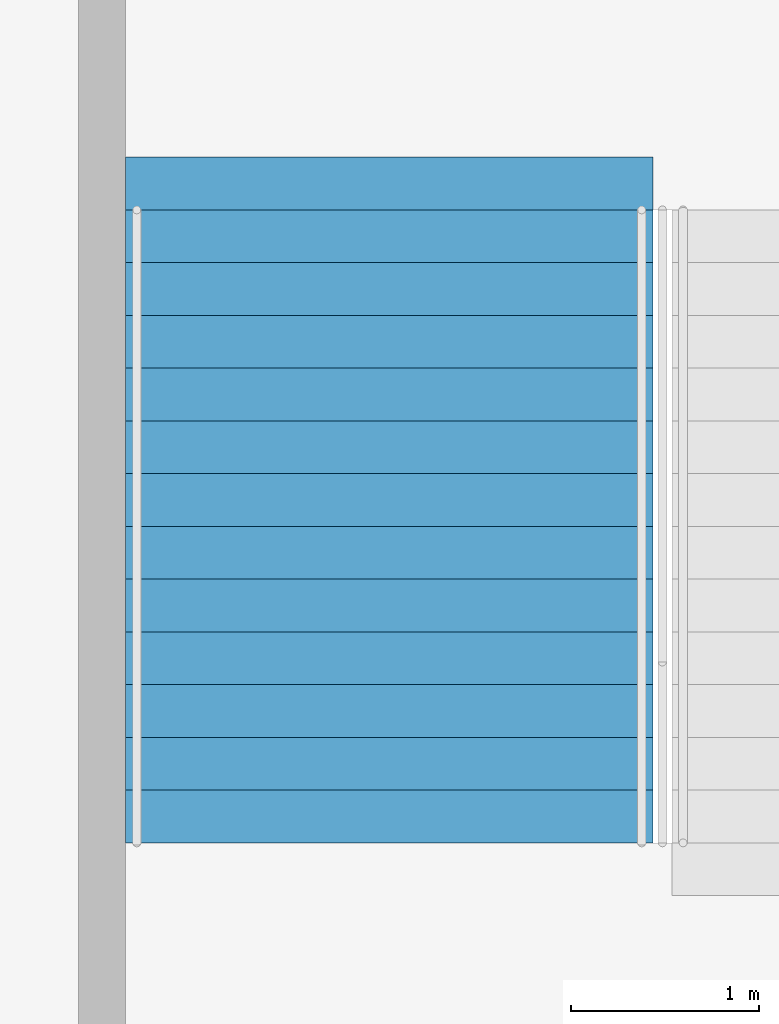
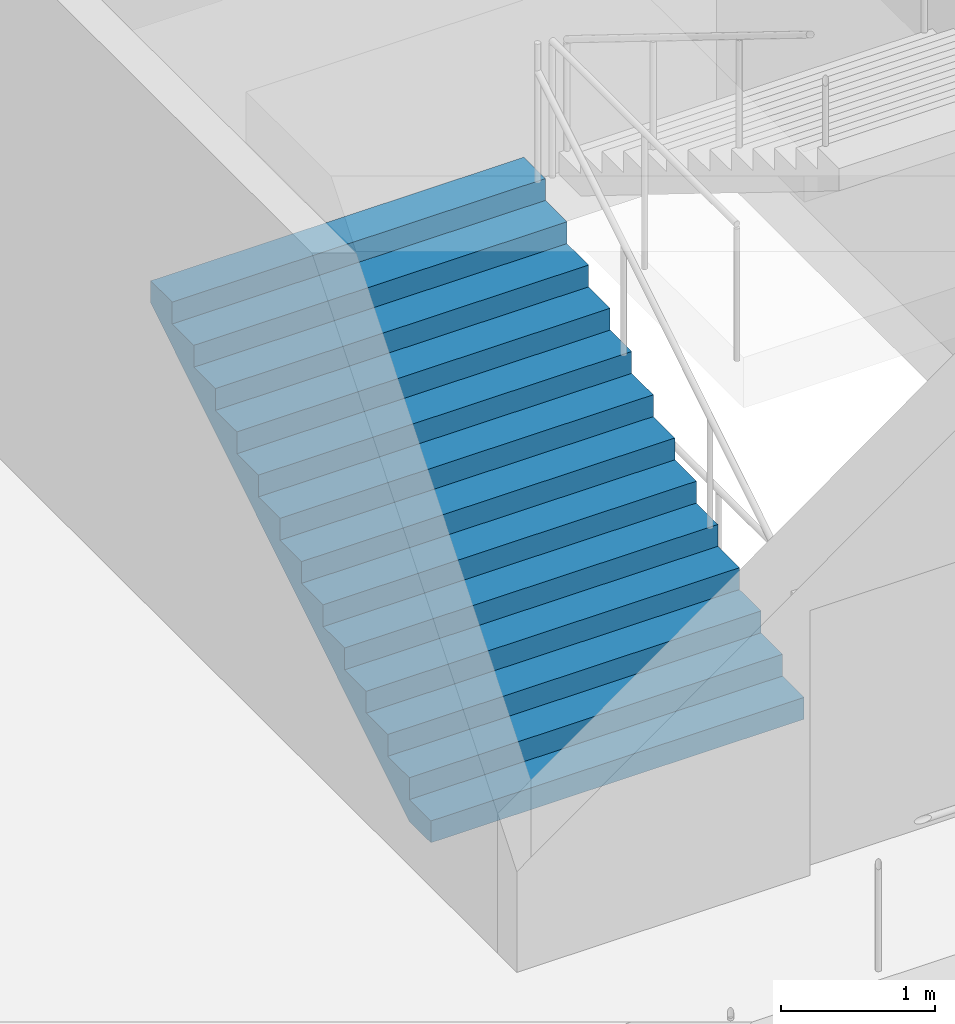
# One storey, part 144 of 177: 1 stair flight, 1 element without a shape of its own.
"""IFC4 building model written with IfcOpenShell, lengths in metres."""

from ifc_helpers import new_model, si_unit, direction, frame, origin, place, context, subcontext, project, spatial, faceted_brep, material, type_object, element, aggregate, save


model = new_model("IFC4")

# Units and contexts
model_context = context("Model", 3, precision=1e-05, world=origin(), true_north=direction((0.0, 1.0)))
body_context = subcontext(model_context, "Body", "Model", "MODEL_VIEW")
ifc_project = project(units=[si_unit("LENGTHUNIT", "METRE"), si_unit("AREAUNIT", "SQUARE_METRE"), si_unit("VOLUMEUNIT", "CUBIC_METRE"), si_unit("PLANEANGLEUNIT", "RADIAN"), si_unit("MASSUNIT", "GRAM", prefix="KILO")], contexts=[model_context])

# Site, building, storey
site_placement = place(None, origin())
site = spatial("IfcSite", under=ifc_project, at=site_placement, CompositionType="ELEMENT")
building_placement = place(site_placement, origin())
building = spatial("IfcBuilding", under=site, at=building_placement, Name="Ogive Plaza Stadium", CompositionType="ELEMENT")
storey_placement = place(building_placement, frame((0.0, 0.0, 18.0)))
storey = spatial("IfcBuildingStorey", under=building, at=storey_placement, Name="L04", CompositionType="ELEMENT", Elevation=18.0)

# Stair, stair flight
ifc_material_1 = material(Name="Concrete C40/50", Category="concrete")
stair_type = type_object("IfcStairType", Name="Exit stair", PredefinedType="STRAIGHT_RUN_STAIR", material=ifc_material_1)
stair_placement = place(storey_placement, origin())
stair = element("IfcStair", 1, at=stair_placement, inside=storey, type_object=stair_type, Name="Exit stair ST34B L04 to L05", PredefinedType="STRAIGHT_RUN_STAIR")
ifc_material_2 = material(Name="Concrete C40/50", Category="concrete")
stair_flight_type = type_object("IfcStairFlightType", Name="Exit stair flight", PredefinedType="STRAIGHT", material=ifc_material_2)
stair_flight_placement = place(storey_placement, frame((-11.22509765625, 94.85009765625, 0.0), z_axis=(0.0, 0.0, 1.0), x_axis=(0.0, 1.0, 0.0)))
stair_flight = element("IfcStairFlight", 2, at=stair_flight_placement, type_object=stair_flight_type, Name="ST34B flight 1", NumberOfRisers=13, NumberOfTreads=12, PredefinedType="STRAIGHT", RiserHeight=0.173076923, TreadLength=0.28, context=body_context, shape_type="Brep", body=[
    faceted_brep([(0.28515625, -1.39990234375, 0.0), (3.639892578125, -1.39990234375, 2.07373046875), (3.639892578125, -1.39990234375, 2.25), (3.360107421875, -1.39990234375, 2.25), (3.360107421875, -1.39990234375, 2.076904296875), (3.080078125, -1.39990234375, 2.076904296875), (3.080078125, -1.39990234375, 1.90380859375), (2.800048828125, -1.39990234375, 1.90380859375), (2.800048828125, -1.39990234375, 1.730712890625), (2.52001953125, -1.39990234375, 1.730712890625), (2.52001953125, -1.39990234375, 1.5576171875), (2.239990234375, -1.39990234375, 1.5576171875), (2.239990234375, -1.39990234375, 1.384521484375), (1.9599609375, -1.39990234375, 1.384521484375), (1.9599609375, -1.39990234375, 1.21142578125), (1.679931640625, -1.39990234375, 1.21142578125), (1.679931640625, -1.39990234375, 1.03857421875), (1.39990234375, -1.39990234375, 1.03857421875), (1.39990234375, -1.39990234375, 0.865478515625), (1.1201171875, -1.39990234375, 0.865478515625), (1.1201171875, -1.39990234375, 0.6923828125), (0.840087890625, -1.39990234375, 0.6923828125), (0.840087890625, -1.39990234375, 0.519287109375), (0.56005859375, -1.39990234375, 0.519287109375), (0.56005859375, -1.39990234375, 0.34619140625), (0.280029296875, -1.39990234375, 0.34619140625), (0.280029296875, -1.39990234375, 0.173095703125), (0.0, -1.39990234375, 0.173095703125), (0.0, -1.39990234375, 0.0), (0.0, 1.39990234375, 0.0), (0.0, 1.39990234375, 0.173095703125), (0.280029296875, 1.39990234375, 0.173095703125), (0.280029296875, 1.39990234375, 0.34619140625), (0.56005859375, 1.39990234375, 0.34619140625), (0.56005859375, 1.39990234375, 0.519287109375), (0.840087890625, 1.39990234375, 0.519287109375), (0.840087890625, 1.39990234375, 0.6923828125), (1.1201171875, 1.39990234375, 0.6923828125), (1.1201171875, 1.39990234375, 0.865478515625), (1.39990234375, 1.39990234375, 0.865478515625), (1.39990234375, 1.39990234375, 1.03857421875), (1.679931640625, 1.39990234375, 1.03857421875), (1.679931640625, 1.39990234375, 1.21142578125), (1.9599609375, 1.39990234375, 1.21142578125), (1.9599609375, 1.39990234375, 1.384521484375), (2.239990234375, 1.39990234375, 1.384521484375), (2.239990234375, 1.39990234375, 1.5576171875), (2.52001953125, 1.39990234375, 1.5576171875), (2.52001953125, 1.39990234375, 1.730712890625), (2.800048828125, 1.39990234375, 1.730712890625), (2.800048828125, 1.39990234375, 1.90380859375), (3.080078125, 1.39990234375, 1.90380859375), (3.080078125, 1.39990234375, 2.076904296875), (3.360107421875, 1.39990234375, 2.076904296875), (3.360107421875, 1.39990234375, 2.25), (3.639892578125, 1.39990234375, 2.25), (3.639892578125, 1.39990234375, 2.07373046875), (0.28515625, 1.39990234375, 0.0), (0.28515625, -1.0888671875, 0.0), (3.639892578125, -1.0888671875, 2.07373046875), (0.28515625, -0.77783203125, 0.0), (3.639892578125, -0.77783203125, 2.07373046875), (0.28515625, -0.466796875, 0.0), (3.639892578125, -0.466796875, 2.07373046875), (0.28515625, -0.155517578125, 0.0), (3.639892578125, -0.155517578125, 2.07373046875), (0.28515625, 0.155517578125, 0.0), (3.639892578125, 0.155517578125, 2.07373046875), (0.28515625, 0.466796875, 0.0), (3.639892578125, 0.466796875, 2.07373046875), (0.28515625, 0.77783203125, 0.0), (3.639892578125, 0.77783203125, 2.07373046875), (0.28515625, 1.0888671875, 0.0), (3.639892578125, 1.0888671875, 2.07373046875), (3.639892578125, -1.0888671875, 2.25), (3.639892578125, -0.77783203125, 2.25), (3.639892578125, -0.466796875, 2.25), (3.639892578125, -0.155517578125, 2.25), (3.639892578125, 0.155517578125, 2.25), (3.639892578125, 0.466796875, 2.25), (3.639892578125, 0.77783203125, 2.25), (3.639892578125, 1.0888671875, 2.25), (3.360107421875, -1.0888671875, 2.25), (3.360107421875, -0.77783203125, 2.25), (3.360107421875, -0.466796875, 2.25), (3.360107421875, -0.155517578125, 2.25), (3.360107421875, 0.155517578125, 2.25), (3.360107421875, 0.466796875, 2.25), (3.360107421875, 0.77783203125, 2.25), (3.360107421875, 1.0888671875, 2.25), (3.360107421875, -1.0888671875, 2.076904296875), (3.360107421875, -0.77783203125, 2.076904296875), (3.360107421875, -0.466796875, 2.076904296875), (3.360107421875, -0.155517578125, 2.076904296875), (3.360107421875, 0.155517578125, 2.076904296875), (3.360107421875, 0.466796875, 2.076904296875), (3.360107421875, 0.77783203125, 2.076904296875), (3.360107421875, 1.0888671875, 2.076904296875), (3.080078125, -1.0888671875, 2.076904296875), (3.080078125, -0.77783203125, 2.076904296875), (3.080078125, -0.466796875, 2.076904296875), (3.080078125, -0.155517578125, 2.076904296875), (3.080078125, 0.155517578125, 2.076904296875), (3.080078125, 0.466796875, 2.076904296875), (3.080078125, 0.77783203125, 2.076904296875), (3.080078125, 1.0888671875, 2.076904296875), (3.080078125, -1.0888671875, 1.90380859375), (3.080078125, -0.77783203125, 1.90380859375), (3.080078125, -0.466796875, 1.90380859375), (3.080078125, -0.155517578125, 1.90380859375), (3.080078125, 0.155517578125, 1.90380859375), (3.080078125, 0.466796875, 1.90380859375), (3.080078125, 0.77783203125, 1.90380859375), (3.080078125, 1.0888671875, 1.90380859375), (2.800048828125, -1.0888671875, 1.90380859375), (2.800048828125, -0.77783203125, 1.90380859375), (2.800048828125, -0.466796875, 1.90380859375), (2.800048828125, -0.155517578125, 1.90380859375), (2.800048828125, 0.155517578125, 1.90380859375), (2.800048828125, 0.466796875, 1.90380859375), (2.800048828125, 0.77783203125, 1.90380859375), (2.800048828125, 1.0888671875, 1.90380859375), (2.800048828125, -1.0888671875, 1.730712890625), (2.800048828125, -0.77783203125, 1.730712890625), (2.800048828125, -0.466796875, 1.730712890625), (2.800048828125, -0.155517578125, 1.730712890625), (2.800048828125, 0.155517578125, 1.730712890625), (2.800048828125, 0.466796875, 1.730712890625), (2.800048828125, 0.77783203125, 1.730712890625), (2.800048828125, 1.0888671875, 1.730712890625), (2.52001953125, -1.0888671875, 1.730712890625), (2.52001953125, -0.77783203125, 1.730712890625), (2.52001953125, -0.466796875, 1.730712890625), (2.52001953125, -0.155517578125, 1.730712890625), (2.52001953125, 0.155517578125, 1.730712890625), (2.52001953125, 0.466796875, 1.730712890625), (2.52001953125, 0.77783203125, 1.730712890625), (2.52001953125, 1.0888671875, 1.730712890625), (2.52001953125, -1.0888671875, 1.5576171875), (2.52001953125, -0.77783203125, 1.5576171875), (2.52001953125, -0.466796875, 1.5576171875), (2.52001953125, -0.155517578125, 1.5576171875), (2.52001953125, 0.155517578125, 1.5576171875), (2.52001953125, 0.466796875, 1.5576171875), (2.52001953125, 0.77783203125, 1.5576171875), (2.52001953125, 1.0888671875, 1.5576171875), (2.239990234375, -1.0888671875, 1.5576171875), (2.239990234375, -0.77783203125, 1.5576171875), (2.239990234375, -0.466796875, 1.5576171875), (2.239990234375, -0.155517578125, 1.5576171875), (2.239990234375, 0.155517578125, 1.5576171875), (2.239990234375, 0.466796875, 1.5576171875), (2.239990234375, 0.77783203125, 1.5576171875), (2.239990234375, 1.0888671875, 1.5576171875), (2.239990234375, -1.0888671875, 1.384521484375), (2.239990234375, -0.77783203125, 1.384521484375), (2.239990234375, -0.466796875, 1.384521484375), (2.239990234375, -0.155517578125, 1.384521484375), (2.239990234375, 0.155517578125, 1.384521484375), (2.239990234375, 0.466796875, 1.384521484375), (2.239990234375, 0.77783203125, 1.384521484375), (2.239990234375, 1.0888671875, 1.384521484375), (1.9599609375, -1.0888671875, 1.384521484375), (1.9599609375, -0.77783203125, 1.384521484375), (1.9599609375, -0.466796875, 1.384521484375), (1.9599609375, -0.155517578125, 1.384521484375), (1.9599609375, 0.155517578125, 1.384521484375), (1.9599609375, 0.466796875, 1.384521484375), (1.9599609375, 0.77783203125, 1.384521484375), (1.9599609375, 1.0888671875, 1.384521484375), (1.9599609375, -1.0888671875, 1.21142578125), (1.9599609375, -0.77783203125, 1.21142578125), (1.9599609375, -0.466796875, 1.21142578125), (1.9599609375, -0.155517578125, 1.21142578125), (1.9599609375, 0.155517578125, 1.21142578125), (1.9599609375, 0.466796875, 1.21142578125), (1.9599609375, 0.77783203125, 1.21142578125), (1.9599609375, 1.0888671875, 1.21142578125), (1.679931640625, -1.0888671875, 1.21142578125), (1.679931640625, -0.77783203125, 1.21142578125), (1.679931640625, -0.466796875, 1.21142578125), (1.679931640625, -0.155517578125, 1.21142578125), (1.679931640625, 0.155517578125, 1.21142578125), (1.679931640625, 0.466796875, 1.21142578125), (1.679931640625, 0.77783203125, 1.21142578125), (1.679931640625, 1.0888671875, 1.21142578125), (1.679931640625, -1.0888671875, 1.03857421875), (1.679931640625, -0.77783203125, 1.03857421875), (1.679931640625, -0.466796875, 1.03857421875), (1.679931640625, -0.155517578125, 1.03857421875), (1.679931640625, 0.155517578125, 1.03857421875), (1.679931640625, 0.466796875, 1.03857421875), (1.679931640625, 0.77783203125, 1.03857421875), (1.679931640625, 1.0888671875, 1.03857421875), (1.39990234375, -1.0888671875, 1.03857421875), (1.39990234375, -0.77783203125, 1.03857421875), (1.39990234375, -0.466796875, 1.03857421875), (1.39990234375, -0.155517578125, 1.03857421875), (1.39990234375, 0.155517578125, 1.03857421875), (1.39990234375, 0.466796875, 1.03857421875), (1.39990234375, 0.77783203125, 1.03857421875), (1.39990234375, 1.0888671875, 1.03857421875), (1.39990234375, -1.0888671875, 0.865478515625), (1.39990234375, -0.77783203125, 0.865478515625), (1.39990234375, -0.466796875, 0.865478515625), (1.39990234375, -0.155517578125, 0.865478515625), (1.39990234375, 0.155517578125, 0.865478515625), (1.39990234375, 0.466796875, 0.865478515625), (1.39990234375, 0.77783203125, 0.865478515625), (1.39990234375, 1.0888671875, 0.865478515625), (1.1201171875, -1.0888671875, 0.865478515625), (1.1201171875, -0.77783203125, 0.865478515625), (1.1201171875, -0.466796875, 0.865478515625), (1.1201171875, -0.155517578125, 0.865478515625), (1.1201171875, 0.155517578125, 0.865478515625), (1.1201171875, 0.466796875, 0.865478515625), (1.1201171875, 0.77783203125, 0.865478515625), (1.1201171875, 1.0888671875, 0.865478515625), (1.1201171875, -1.0888671875, 0.6923828125), (1.1201171875, -0.77783203125, 0.6923828125), (1.1201171875, -0.466796875, 0.6923828125), (1.1201171875, -0.155517578125, 0.6923828125), (1.1201171875, 0.155517578125, 0.6923828125), (1.1201171875, 0.466796875, 0.6923828125), (1.1201171875, 0.77783203125, 0.6923828125), (1.1201171875, 1.0888671875, 0.6923828125), (0.840087890625, -1.0888671875, 0.6923828125), (0.840087890625, -0.77783203125, 0.6923828125), (0.840087890625, -0.466796875, 0.6923828125), (0.840087890625, -0.155517578125, 0.6923828125), (0.840087890625, 0.155517578125, 0.6923828125), (0.840087890625, 0.466796875, 0.6923828125), (0.840087890625, 0.77783203125, 0.6923828125), (0.840087890625, 1.0888671875, 0.6923828125), (0.840087890625, -1.0888671875, 0.519287109375), (0.840087890625, -0.77783203125, 0.519287109375), (0.840087890625, -0.466796875, 0.519287109375), (0.840087890625, -0.155517578125, 0.519287109375), (0.840087890625, 0.155517578125, 0.519287109375), (0.840087890625, 0.466796875, 0.519287109375), (0.840087890625, 0.77783203125, 0.519287109375), (0.840087890625, 1.0888671875, 0.519287109375), (0.56005859375, -1.0888671875, 0.519287109375), (0.56005859375, -0.77783203125, 0.519287109375), (0.56005859375, -0.466796875, 0.519287109375), (0.56005859375, -0.155517578125, 0.519287109375), (0.56005859375, 0.155517578125, 0.519287109375), (0.56005859375, 0.466796875, 0.519287109375), (0.56005859375, 0.77783203125, 0.519287109375), (0.56005859375, 1.0888671875, 0.519287109375), (0.56005859375, -1.0888671875, 0.34619140625), (0.56005859375, -0.77783203125, 0.34619140625), (0.56005859375, -0.466796875, 0.34619140625), (0.56005859375, -0.155517578125, 0.34619140625), (0.56005859375, 0.155517578125, 0.34619140625), (0.56005859375, 0.466796875, 0.34619140625), (0.56005859375, 0.77783203125, 0.34619140625), (0.56005859375, 1.0888671875, 0.34619140625), (0.280029296875, -1.0888671875, 0.34619140625), (0.280029296875, -0.77783203125, 0.34619140625), (0.280029296875, -0.466796875, 0.34619140625), (0.280029296875, -0.155517578125, 0.34619140625), (0.280029296875, 0.155517578125, 0.34619140625), (0.280029296875, 0.466796875, 0.34619140625), (0.280029296875, 0.77783203125, 0.34619140625), (0.280029296875, 1.0888671875, 0.34619140625), (0.280029296875, -1.0888671875, 0.173095703125), (0.280029296875, -0.77783203125, 0.173095703125), (0.280029296875, -0.466796875, 0.173095703125), (0.280029296875, -0.155517578125, 0.173095703125), (0.280029296875, 0.155517578125, 0.173095703125), (0.280029296875, 0.466796875, 0.173095703125), (0.280029296875, 0.77783203125, 0.173095703125), (0.280029296875, 1.0888671875, 0.173095703125), (0.0, -1.0888671875, 0.173095703125), (0.0, -0.77783203125, 0.173095703125), (0.0, -0.466796875, 0.173095703125), (0.0, -0.155517578125, 0.173095703125), (0.0, 0.155517578125, 0.173095703125), (0.0, 0.466796875, 0.173095703125), (0.0, 0.77783203125, 0.173095703125), (0.0, 1.0888671875, 0.173095703125), (0.0, -1.0888671875, 0.0), (0.0, -0.77783203125, 0.0), (0.0, -0.466796875, 0.0), (0.0, -0.155517578125, 0.0), (0.0, 0.155517578125, 0.0), (0.0, 0.466796875, 0.0), (0.0, 0.77783203125, 0.0), (0.0, 1.0888671875, 0.0)], [[[0, 1, 2, 3, 4, 5, 6, 7, 8, 9, 10, 11, 12, 13, 14, 15, 16, 17, 18, 19, 20, 21, 22, 23, 24, 25, 26, 27, 28]], [[29, 30, 31, 32, 33, 34, 35, 36, 37, 38, 39, 40, 41, 42, 43, 44, 45, 46, 47, 48, 49, 50, 51, 52, 53, 54, 55, 56, 57]], [[0, 58, 59, 1]], [[58, 60, 61, 59]], [[60, 62, 63, 61]], [[62, 64, 65, 63]], [[64, 66, 67, 65]], [[66, 68, 69, 67]], [[68, 70, 71, 69]], [[70, 72, 73, 71]], [[72, 57, 56, 73]], [[1, 59, 74, 2]], [[59, 61, 75, 74]], [[61, 63, 76, 75]], [[63, 65, 77, 76]], [[65, 67, 78, 77]], [[67, 69, 79, 78]], [[69, 71, 80, 79]], [[71, 73, 81, 80]], [[73, 56, 55, 81]], [[2, 74, 82, 3]], [[74, 75, 83, 82]], [[75, 76, 84, 83]], [[76, 77, 85, 84]], [[77, 78, 86, 85]], [[78, 79, 87, 86]], [[79, 80, 88, 87]], [[80, 81, 89, 88]], [[81, 55, 54, 89]], [[3, 82, 90, 4]], [[82, 83, 91, 90]], [[83, 84, 92, 91]], [[84, 85, 93, 92]], [[85, 86, 94, 93]], [[86, 87, 95, 94]], [[87, 88, 96, 95]], [[88, 89, 97, 96]], [[89, 54, 53, 97]], [[4, 90, 98, 5]], [[90, 91, 99, 98]], [[91, 92, 100, 99]], [[92, 93, 101, 100]], [[93, 94, 102, 101]], [[94, 95, 103, 102]], [[95, 96, 104, 103]], [[96, 97, 105, 104]], [[97, 53, 52, 105]], [[5, 98, 106, 6]], [[98, 99, 107, 106]], [[99, 100, 108, 107]], [[100, 101, 109, 108]], [[101, 102, 110, 109]], [[102, 103, 111, 110]], [[103, 104, 112, 111]], [[104, 105, 113, 112]], [[105, 52, 51, 113]], [[6, 106, 114, 7]], [[106, 107, 115, 114]], [[107, 108, 116, 115]], [[108, 109, 117, 116]], [[109, 110, 118, 117]], [[110, 111, 119, 118]], [[111, 112, 120, 119]], [[112, 113, 121, 120]], [[113, 51, 50, 121]], [[7, 114, 122, 8]], [[114, 115, 123, 122]], [[115, 116, 124, 123]], [[116, 117, 125, 124]], [[117, 118, 126, 125]], [[118, 119, 127, 126]], [[119, 120, 128, 127]], [[120, 121, 129, 128]], [[121, 50, 49, 129]], [[8, 122, 130, 9]], [[122, 123, 131, 130]], [[123, 124, 132, 131]], [[124, 125, 133, 132]], [[125, 126, 134, 133]], [[126, 127, 135, 134]], [[127, 128, 136, 135]], [[128, 129, 137, 136]], [[129, 49, 48, 137]], [[9, 130, 138, 10]], [[130, 131, 139, 138]], [[131, 132, 140, 139]], [[132, 133, 141, 140]], [[133, 134, 142, 141]], [[134, 135, 143, 142]], [[135, 136, 144, 143]], [[136, 137, 145, 144]], [[137, 48, 47, 145]], [[10, 138, 146, 11]], [[138, 139, 147, 146]], [[139, 140, 148, 147]], [[140, 141, 149, 148]], [[141, 142, 150, 149]], [[142, 143, 151, 150]], [[143, 144, 152, 151]], [[144, 145, 153, 152]], [[145, 47, 46, 153]], [[11, 146, 154, 12]], [[146, 147, 155, 154]], [[147, 148, 156, 155]], [[148, 149, 157, 156]], [[149, 150, 158, 157]], [[150, 151, 159, 158]], [[151, 152, 160, 159]], [[152, 153, 161, 160]], [[153, 46, 45, 161]], [[12, 154, 162, 13]], [[154, 155, 163, 162]], [[155, 156, 164, 163]], [[156, 157, 165, 164]], [[157, 158, 166, 165]], [[158, 159, 167, 166]], [[159, 160, 168, 167]], [[160, 161, 169, 168]], [[161, 45, 44, 169]], [[13, 162, 170, 14]], [[162, 163, 171, 170]], [[163, 164, 172, 171]], [[164, 165, 173, 172]], [[165, 166, 174, 173]], [[166, 167, 175, 174]], [[167, 168, 176, 175]], [[168, 169, 177, 176]], [[169, 44, 43, 177]], [[14, 170, 178, 15]], [[170, 171, 179, 178]], [[171, 172, 180, 179]], [[172, 173, 181, 180]], [[173, 174, 182, 181]], [[174, 175, 183, 182]], [[175, 176, 184, 183]], [[176, 177, 185, 184]], [[177, 43, 42, 185]], [[15, 178, 186, 16]], [[178, 179, 187, 186]], [[179, 180, 188, 187]], [[180, 181, 189, 188]], [[181, 182, 190, 189]], [[182, 183, 191, 190]], [[183, 184, 192, 191]], [[184, 185, 193, 192]], [[185, 42, 41, 193]], [[16, 186, 194, 17]], [[186, 187, 195, 194]], [[187, 188, 196, 195]], [[188, 189, 197, 196]], [[189, 190, 198, 197]], [[190, 191, 199, 198]], [[191, 192, 200, 199]], [[192, 193, 201, 200]], [[193, 41, 40, 201]], [[17, 194, 202, 18]], [[194, 195, 203, 202]], [[195, 196, 204, 203]], [[196, 197, 205, 204]], [[197, 198, 206, 205]], [[198, 199, 207, 206]], [[199, 200, 208, 207]], [[200, 201, 209, 208]], [[201, 40, 39, 209]], [[18, 202, 210, 19]], [[202, 203, 211, 210]], [[203, 204, 212, 211]], [[204, 205, 213, 212]], [[205, 206, 214, 213]], [[206, 207, 215, 214]], [[207, 208, 216, 215]], [[208, 209, 217, 216]], [[209, 39, 38, 217]], [[19, 210, 218, 20]], [[210, 211, 219, 218]], [[211, 212, 220, 219]], [[212, 213, 221, 220]], [[213, 214, 222, 221]], [[214, 215, 223, 222]], [[215, 216, 224, 223]], [[216, 217, 225, 224]], [[217, 38, 37, 225]], [[20, 218, 226, 21]], [[218, 219, 227, 226]], [[219, 220, 228, 227]], [[220, 221, 229, 228]], [[221, 222, 230, 229]], [[222, 223, 231, 230]], [[223, 224, 232, 231]], [[224, 225, 233, 232]], [[225, 37, 36, 233]], [[21, 226, 234, 22]], [[226, 227, 235, 234]], [[227, 228, 236, 235]], [[228, 229, 237, 236]], [[229, 230, 238, 237]], [[230, 231, 239, 238]], [[231, 232, 240, 239]], [[232, 233, 241, 240]], [[233, 36, 35, 241]], [[22, 234, 242, 23]], [[234, 235, 243, 242]], [[235, 236, 244, 243]], [[236, 237, 245, 244]], [[237, 238, 246, 245]], [[238, 239, 247, 246]], [[239, 240, 248, 247]], [[240, 241, 249, 248]], [[241, 35, 34, 249]], [[23, 242, 250, 24]], [[242, 243, 251, 250]], [[243, 244, 252, 251]], [[244, 245, 253, 252]], [[245, 246, 254, 253]], [[246, 247, 255, 254]], [[247, 248, 256, 255]], [[248, 249, 257, 256]], [[249, 34, 33, 257]], [[24, 250, 258, 25]], [[250, 251, 259, 258]], [[251, 252, 260, 259]], [[252, 253, 261, 260]], [[253, 254, 262, 261]], [[254, 255, 263, 262]], [[255, 256, 264, 263]], [[256, 257, 265, 264]], [[257, 33, 32, 265]], [[25, 258, 266, 26]], [[258, 259, 267, 266]], [[259, 260, 268, 267]], [[260, 261, 269, 268]], [[261, 262, 270, 269]], [[262, 263, 271, 270]], [[263, 264, 272, 271]], [[264, 265, 273, 272]], [[265, 32, 31, 273]], [[26, 266, 274, 27]], [[266, 267, 275, 274]], [[267, 268, 276, 275]], [[268, 269, 277, 276]], [[269, 270, 278, 277]], [[270, 271, 279, 278]], [[271, 272, 280, 279]], [[272, 273, 281, 280]], [[273, 31, 30, 281]], [[27, 274, 282, 28]], [[274, 275, 283, 282]], [[275, 276, 284, 283]], [[276, 277, 285, 284]], [[277, 278, 286, 285]], [[278, 279, 287, 286]], [[279, 280, 288, 287]], [[280, 281, 289, 288]], [[281, 30, 29, 289]], [[28, 282, 58, 0]], [[282, 283, 60, 58]], [[283, 284, 62, 60]], [[284, 285, 64, 62]], [[285, 286, 66, 64]], [[286, 287, 68, 66]], [[287, 288, 70, 68]], [[288, 289, 72, 70]], [[289, 29, 57, 72]]]),
])
aggregate(stair, [stair_flight])

save(model, "model.ifc")
